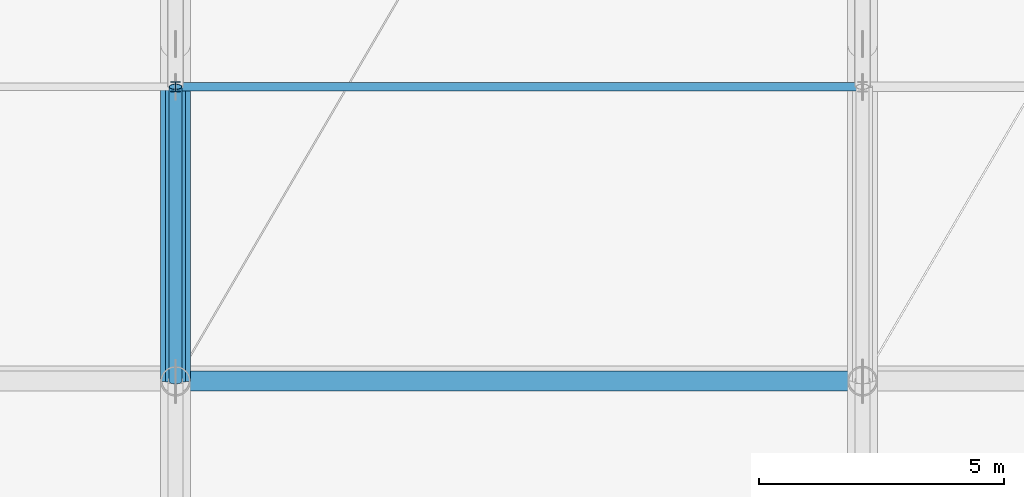
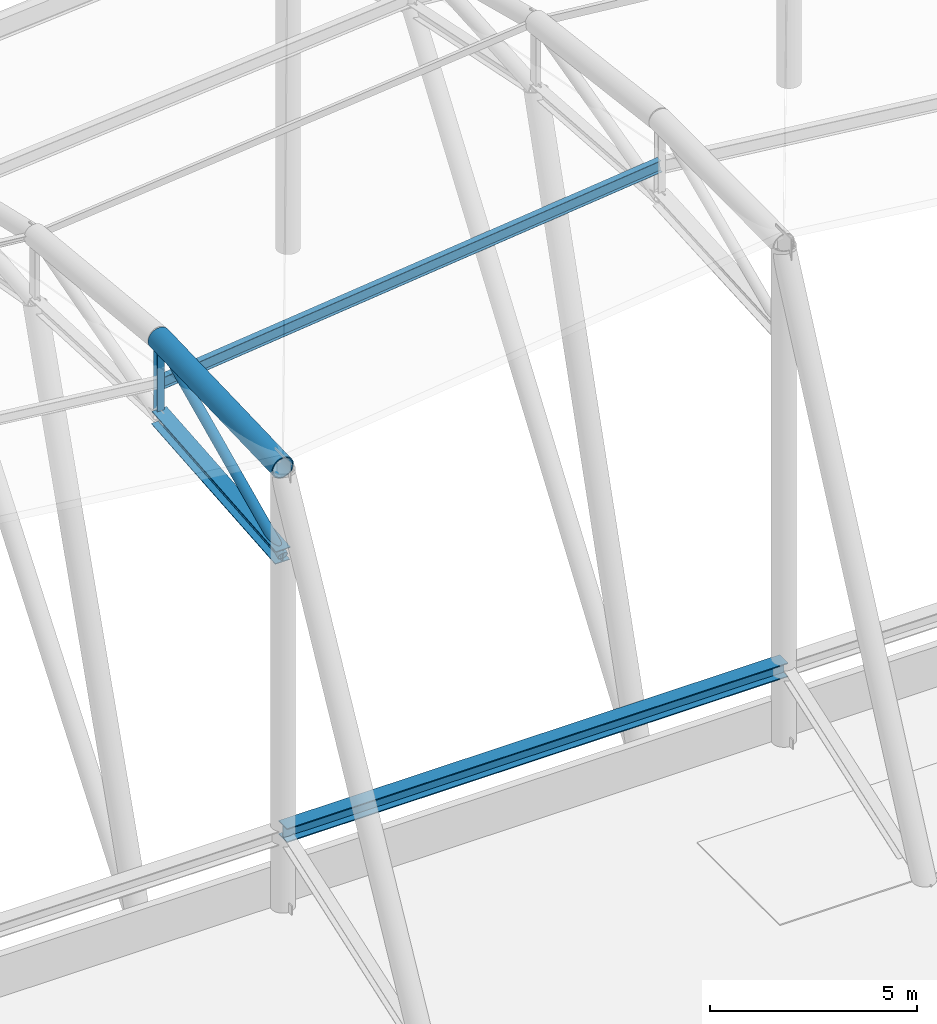
# One storey, part 18 of 90: 5 members, 1 beam.
"""IFC4 building model written with IfcOpenShell, lengths in metres."""

from ifc_helpers import new_model, si_unit, direction, frame, origin, origin_2d, place, context, subcontext, project, spatial, hollow_circle, i_section, extrude, material, material_profile, profile_set, type_object, element, save


model = new_model("IFC4")

# Units and contexts
model_context = context("Model", 3, precision=1e-05, world=origin(), true_north=direction((0.0, 1.0)))
body_context = subcontext(model_context, "Body", "Model", "MODEL_VIEW")
ifc_project = project(units=[si_unit("LENGTHUNIT", "METRE"), si_unit("AREAUNIT", "SQUARE_METRE"), si_unit("VOLUMEUNIT", "CUBIC_METRE"), si_unit("PLANEANGLEUNIT", "RADIAN"), si_unit("MASSUNIT", "GRAM", prefix="KILO")], contexts=[model_context])

# Site, building, storey
site_placement = place(None, origin())
site = spatial("IfcSite", under=ifc_project, at=site_placement, CompositionType="ELEMENT")
building_placement = place(site_placement, origin())
building = spatial("IfcBuilding", under=site, at=building_placement, Name="Linyun Crest Stadium", CompositionType="ELEMENT")
storey_placement = place(building_placement, frame((0.0, 0.0, 21.0)))
storey = spatial("IfcBuildingStorey", under=building, at=storey_placement, Name="L05", CompositionType="ELEMENT", Elevation=21.0)

# Beam
ifc_material_1 = material(Name="Steel Q420C", Category="steel")
ifc_material_profile_1 = material_profile(ifc_material_1, i_section(OverallWidth=0.405029296875, OverallDepth=0.4140625, WebThickness=0.01806640625, FlangeThickness=0.028076171875, at=origin_2d()), Name="HW 414x405")
ifc_profile_set_1 = profile_set([ifc_material_profile_1], Name="Steel Q420C")
beam_type = type_object("IfcBeamType", Name="HB04", PredefinedType="USERDEFINED", material=ifc_profile_set_1)
beam_placement = place(storey_placement, frame((-14.0, -73.5, 2.195068359375), z_axis=(1.0, 0.0, 0.0), x_axis=(0.0, 1.0, 0.0)))
element("IfcBeam", 1, at=beam_placement, inside=storey, type_object=beam_type, Name="Roof Outer compression ring beam HB04 V4 40", ObjectType="RING BEAM", PredefinedType="USERDEFINED", context=body_context, shape_type="SweptSolid", body=[
    extrude(i_section(OverallWidth=0.405029296875, OverallDepth=0.4140625, WebThickness=0.01806640625, FlangeThickness=0.028076171875, at=origin_2d()), origin(), (0.0, 0.0, 1.0), 14.0),
])

# Members
ifc_material_2 = material(Name="Steel Q355B", Category="steel")
ifc_material_profile_2 = material_profile(ifc_material_2, i_section(OverallWidth=0.175048828125, OverallDepth=0.35009765625, WebThickness=0.007080078125, FlangeThickness=0.010986328125, at=origin_2d()), Name="HN 350x175")
ifc_profile_set_2 = profile_set([ifc_material_profile_2], Name="Steel Q355B")
member_type_1 = type_object("IfcMemberType", Name="PR02", PredefinedType="PURLIN", material=ifc_profile_set_2)
member_1_placement = place(storey_placement, frame((-14.0, -67.5, 11.81494140625), z_axis=(0.993926568658, 0.0, 0.110045336642), x_axis=(0.0, 1.0, 0.0)))
element("IfcMember", 2, at=member_1_placement, inside=storey, type_object=member_type_1, Name="Roof canopy purlin PR02 V4 571", PredefinedType="PURLIN", context=body_context, shape_type="SweptSolid", body=[
    extrude(i_section(OverallWidth=0.175048828125, OverallDepth=0.35009765625, WebThickness=0.007080078125, FlangeThickness=0.010986328125, at=origin_2d()), origin(), (0.0, 0.0, 1.0), 14.08544921875),
])
ifc_material_3 = material(Name="Steel Q420C", Category="steel")
ifc_material_profile_3 = material_profile(ifc_material_3, hollow_circle(Radius=0.304931640625, WallThickness=0.030029296875, at=origin_2d()), Name="CHS 610x30")
ifc_profile_set_3 = profile_set([ifc_material_profile_3], Name="Steel Q420C")
member_type_2 = type_object("IfcMemberType", Name="TC02", PredefinedType="CHORD", material=ifc_profile_set_3)
member_2_placement = place(storey_placement, frame((-14.0, -73.5, 12.949951171875), z_axis=(0.0, 0.999445177762, 0.033306705753), x_axis=(-1.0, 0.0, 0.0)))
element("IfcMember", 3, at=member_2_placement, inside=storey, type_object=member_type_2, Name="Roof truss top chord TC02 V4 493", PredefinedType="CHORD", context=body_context, shape_type="SweptSolid", body=[
    extrude(hollow_circle(Radius=0.304931640625, WallThickness=0.030029296875, at=origin_2d()), origin(), (0.0, 0.0, 1.0), 6.00341796875),
])
ifc_material_4 = material(Name="Steel Q420C", Category="steel")
ifc_material_profile_4 = material_profile(ifc_material_4, i_section(OverallWidth=0.407958984375, OverallDepth=0.39990234375, WebThickness=0.02099609375, FlangeThickness=0.02099609375, at=origin_2d()), Name="HW 400x408")
ifc_profile_set_4 = profile_set([ifc_material_profile_4], Name="Steel Q420C")
member_type_3 = type_object("IfcMemberType", Name="TC04", PredefinedType="CHORD", material=ifc_profile_set_4)
member_3_placement = place(storey_placement, frame((-14.0, -73.5, 10.35009765625), z_axis=(0.0, 0.99637939737, 0.085018212739), x_axis=(-1.0, 0.0, 0.0)))
element("IfcMember", 4, at=member_3_placement, inside=storey, type_object=member_type_3, Name="Roof truss bottom chord TC04 V4 494", PredefinedType="CHORD", context=body_context, shape_type="SweptSolid", body=[
    extrude(i_section(OverallWidth=0.407958984375, OverallDepth=0.39990234375, WebThickness=0.02099609375, FlangeThickness=0.02099609375, at=origin_2d()), origin(), (0.0, 0.0, 1.0), 6.021728515625),
])
ifc_material_5 = material(Name="Steel Q355C", Category="steel")
ifc_material_profile_5 = material_profile(ifc_material_5, hollow_circle(Radius=0.136474609375, WallThickness=0.013916015625, at=origin_2d()), Name="CHS 273x14")
ifc_profile_set_5 = profile_set([ifc_material_profile_5], Name="Steel Q355C")
member_type_4 = type_object("IfcMemberType", Name="TD01", PredefinedType="BRACE", material=ifc_profile_set_5)
member_4_placement = place(storey_placement, frame((-14.0, -73.5, 10.35009765625), z_axis=(0.0, 0.906194443848, 0.422861241945), x_axis=(-1.0, 0.0, 0.0)))
element("IfcMember", 5, at=member_4_placement, inside=storey, type_object=member_type_4, Name="Roof truss diagonal TD01 V4 495", PredefinedType="BRACE", context=body_context, shape_type="SweptSolid", body=[
    extrude(hollow_circle(Radius=0.136474609375, WallThickness=0.013916015625, at=origin_2d()), origin(), (0.0, 0.0, 1.0), 6.62109375),
])
ifc_material_6 = material(Name="Steel Q355C", Category="steel")
ifc_material_profile_6 = material_profile(ifc_material_6, i_section(OverallWidth=0.199951171875, OverallDepth=0.199951171875, WebThickness=0.008056640625, FlangeThickness=0.011962890625, at=origin_2d()), Name="HW 200x200")
ifc_profile_set_6 = profile_set([ifc_material_profile_6], Name="Steel Q355C")
member_type_5 = type_object("IfcMemberType", Name="TV02", PredefinedType="STRUT", material=ifc_profile_set_6)
member_5_placement = place(storey_placement, frame((-14.0, -67.5, 10.862060546875), z_axis=(0.0, 0.0, 1.0), x_axis=(1.0, 0.0, 0.0)))
element("IfcMember", 6, at=member_5_placement, inside=storey, type_object=member_type_5, Name="Roof vertical strut TV02 V4 499", PredefinedType="STRUT", context=body_context, shape_type="SweptSolid", body=[
    extrude(i_section(OverallWidth=0.199951171875, OverallDepth=0.199951171875, WebThickness=0.008056640625, FlangeThickness=0.011962890625, at=origin_2d()), origin(), (0.0, 0.0, 1.0), 2.287841796875),
])

save(model, "model.ifc")
